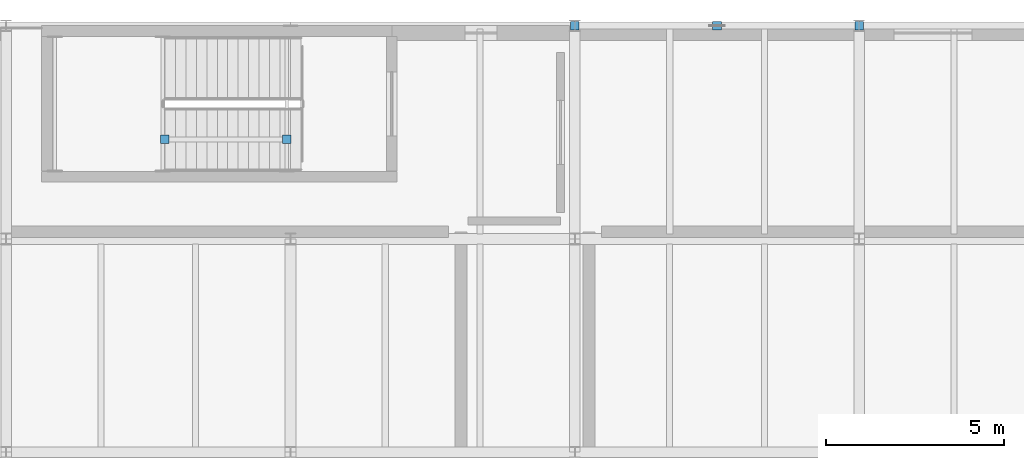
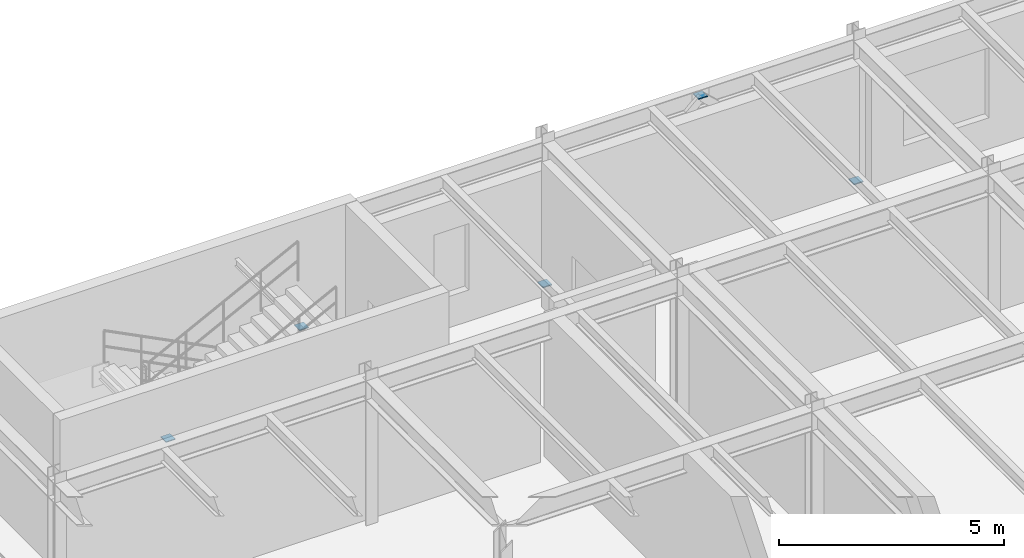
# One storey, part 110 of 122: 5 discrete accessories.
"""IFC4 building model written with IfcOpenShell, lengths in metres."""

from ifc_helpers import new_model, si_unit, direction, frame, origin, origin_2d, place, context, subcontext, project, spatial, rectangle, extrude, material, type_object, element, save


model = new_model("IFC4")

# Units and contexts
model_context = context("Model", 3, precision=1e-05, world=origin(), true_north=direction((0.0, 1.0)))
body_context = subcontext(model_context, "Body", "Model", "MODEL_VIEW")
ifc_project = project(units=[si_unit("LENGTHUNIT", "METRE"), si_unit("AREAUNIT", "SQUARE_METRE"), si_unit("VOLUMEUNIT", "CUBIC_METRE"), si_unit("PLANEANGLEUNIT", "RADIAN"), si_unit("MASSUNIT", "GRAM", prefix="KILO")], contexts=[model_context])

# Site, building, storey
site_placement = place(None, origin())
site = spatial("IfcSite", under=ifc_project, at=site_placement, CompositionType="ELEMENT")
building_placement = place(site_placement, origin())
building = spatial("IfcBuilding", under=site, at=building_placement, Name="Sundkrona Museum", CompositionType="ELEMENT")
storey_placement = place(building_placement, frame((0.0, 0.0, 5.39990234375)))
storey = spatial("IfcBuildingStorey", under=building, at=storey_placement, Name="L01", CompositionType="ELEMENT", Elevation=5.39990234375)

# Discrete accessories
ifc_material = material(Name="Stainless Steel EN 1.4404 Cleat", Category="steel")
discrete_accessory_type = type_object("IfcDiscreteAccessoryType", Name="BRK-FIN-01", PredefinedType="BRACKET", material=ifc_material)
for number, where, z_axis, x_axis, name in (
    (1, (152.0, 114.0, -0.012451171875), (0.0, 0.0, 1.0), (1.0, 0.0, 0.0), "Brace and Strut End Connection Plate BR-L01-031A-1"),
    (2, (156.0, 114.0, 3.707763671875), (0.0, 0.0, 1.0), (1.0, 0.0, 0.0), "Brace and Strut End Connection Plate BR-L01-031A-2"),
    (3, (160.0, 114.0, -0.012451171875), (0.0, 0.0, 1.0), (1.0, 0.0, 0.0), "Brace and Strut End Connection Plate BR-L01-031B-1"),
    (4, (140.465087890625, 110.800048828125, 1.767578125), (0.0, 0.0, 1.0), (1.0, 0.0, 0.0), "Brace and Strut End Connection Plate RK-ST-ST-5-L01-2-1"),
    (5, (143.89990234375, 110.800048828125, 3.60107421875), (0.0, 0.0, 1.0), (1.0, 0.0, 0.0), "Brace and Strut End Connection Plate RK-ST-ST-5-L01-2-2"),
):
    element("IfcDiscreteAccessory", number, at=place(storey_placement, frame(where, z_axis=z_axis, x_axis=x_axis)), inside=storey, type_object=discrete_accessory_type, Name=name, PredefinedType="BRACKET", context=body_context, shape_type="SweptSolid", body=[
        extrude(rectangle(XDim=0.239990234375, YDim=0.239990234375, at=origin_2d()), origin(), (0.0, 0.0, 1.0), 0.02490234375),
    ])

save(model, "model.ifc")
